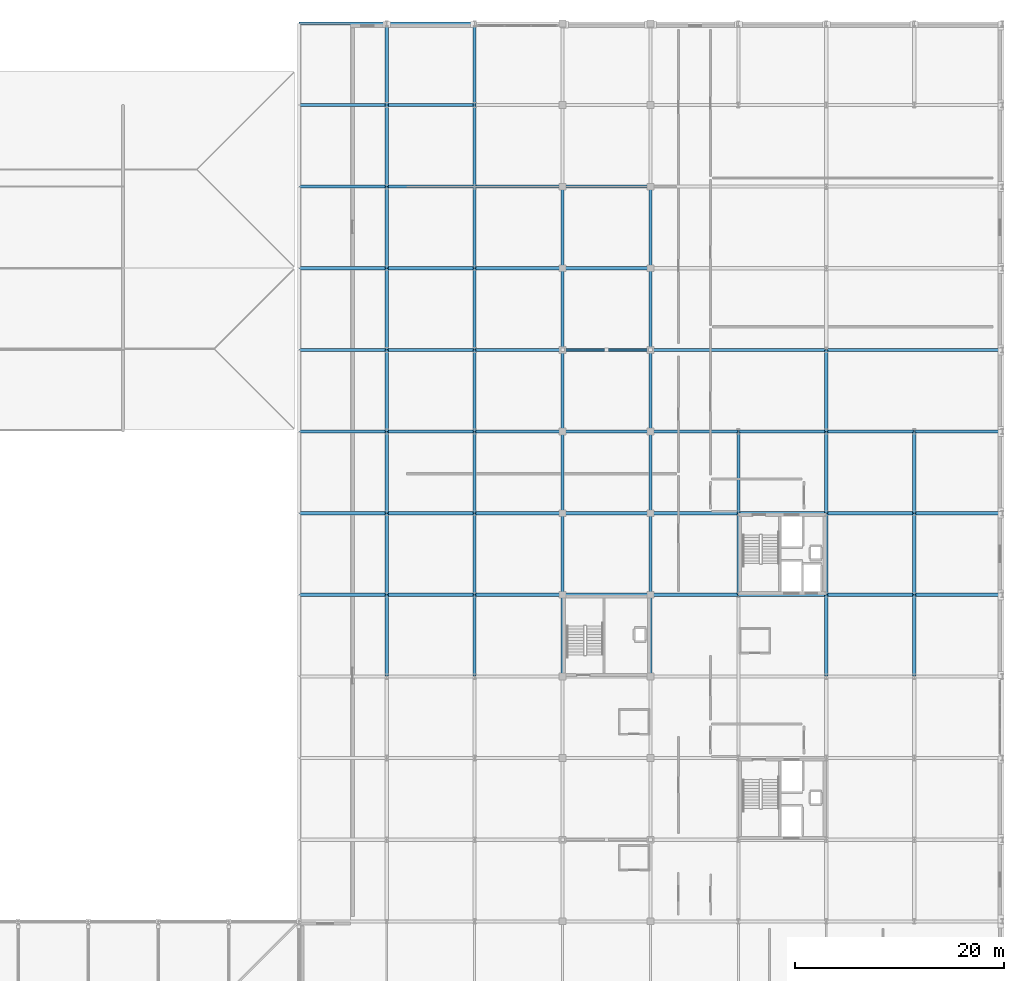
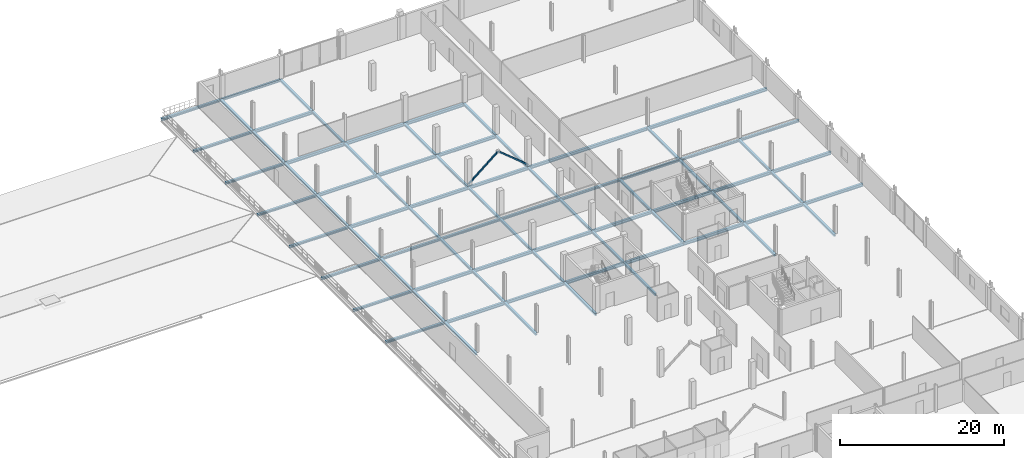
# One storey, part 43 of 77: 79 beams, 2 members.
"""IFC4 building model written with IfcOpenShell, lengths in metres."""

import ifcopenshell
import ifcopenshell.guid

model = None  # the IFC model being written
_history = None  # IfcOwnerHistory: only IFC2X3 demands one
_inside = {}  # id of a spatial element -> (the spatial element, [elements in it])
_under = {}  # id of a project, library or spatial element -> (it, [spatial elements below it])
_declared = {}  # id of a project -> (the project, [libraries it declares])
_typed = {}  # id of a type object -> (the type object, [elements of that type])
_made_of = {}  # id of a material, layer set ... -> (it, [elements and type objects made of it])


def new_model(schema):
    """Start an empty IFC model of exactly this schema.

    Asked for "IFC4X3", IfcOpenShell would pick the latest addendum, in which some entities
    have other attributes; the version numbers below select the first issue.
    IFC2X3 requires an IfcOwnerHistory on every rooted entity: one is made here for all.
    """
    global model, _history
    if schema == "IFC4X3":
        model = ifcopenshell.file(schema_version=(4, 3, 0, 0))
    else:
        model = ifcopenshell.file(schema=schema)
    _inside.clear()
    _under.clear()
    _declared.clear()
    _typed.clear()
    _made_of.clear()
    _history = None
    if model.schema == "IFC2X3":
        org = make("IfcOrganization", Name="unknown")
        user = make(
            "IfcPersonAndOrganization",
            ThePerson=make("IfcPerson", FamilyName="unknown"),
            TheOrganization=org,
        )
        app = make(
            "IfcApplication",
            ApplicationDeveloper=org,
            Version="unknown",
            ApplicationFullName="unknown",
            ApplicationIdentifier="unknown",
        )
        _history = make(
            "IfcOwnerHistory",
            OwningUser=user,
            OwningApplication=app,
            ChangeAction="ADDED",
            CreationDate=0,
        )
    return model


def make(cls, **values):
    """One entity of the class cls with the attributes given. An attribute that is None is left unset."""
    return model.create_entity(
        cls, **{name: value for name, value in values.items() if value is not None}
    )


def rooted(cls, **values):
    """An entity with a GlobalId (a new one), such as an element, a storey or a relation."""
    return make(cls, GlobalId=ifcopenshell.guid.new(), OwnerHistory=_history, **values)


def si_unit(unit_type, name, prefix=None):
    """IfcSIUnit, for example si_unit("LENGTHUNIT", "METRE", prefix="MILLI")."""
    return make("IfcSIUnit", UnitType=unit_type, Prefix=prefix, Name=name)


def assignment(units):
    """IfcUnitAssignment: the units of a project."""
    return None if units is None else make("IfcUnitAssignment", Units=units)


def point(xyz):
    """IfcCartesianPoint."""
    return None if xyz is None else make("IfcCartesianPoint", Coordinates=xyz)


def direction(xyz):
    """IfcDirection."""
    return None if xyz is None else make("IfcDirection", DirectionRatios=xyz)


def frame(location, z_axis=None, x_axis=None):
    """IfcAxis2Placement3D, a coordinate frame: its origin and axes. An axis left out is left unset."""
    return make(
        "IfcAxis2Placement3D",
        Location=point(location),
        Axis=direction(z_axis),
        RefDirection=direction(x_axis),
    )


def frame_2d(location, x_axis=None):
    """IfcAxis2Placement2D, a coordinate frame in the plane: its origin and x axis."""
    return make(
        "IfcAxis2Placement2D", Location=point(location), RefDirection=direction(x_axis)
    )


def origin():
    """The frame at (0, 0, 0) with its axes left unset."""
    return frame((0.0, 0.0, 0.0))


def origin_2d():
    """The frame at (0, 0) in the plane with its x axis left unset."""
    return frame_2d((0.0, 0.0))


def place(relative_to, where):
    """IfcLocalPlacement: puts the frame where relative to a parent placement (None: the world)."""
    return make(
        "IfcLocalPlacement", PlacementRelTo=relative_to, RelativePlacement=where
    )


def context(
    kind, dimensions, precision=None, world=None, true_north=None, identifier=None
):
    """IfcGeometricRepresentationContext, for example the 3D "Model" context."""
    return make(
        "IfcGeometricRepresentationContext",
        ContextIdentifier=identifier,
        ContextType=kind,
        CoordinateSpaceDimension=dimensions,
        Precision=precision,
        WorldCoordinateSystem=world,
        TrueNorth=true_north,
    )


def subcontext(parent, identifier, kind, view, scale=None):
    """IfcGeometricRepresentationSubContext, for example "Body" below "Model"."""
    return make(
        "IfcGeometricRepresentationSubContext",
        ContextIdentifier=identifier,
        ContextType=kind,
        ParentContext=parent,
        TargetScale=scale,
        TargetView=view,
    )


def project(units=None, contexts=None):
    """IfcProject with its units and contexts."""
    return rooted(
        "IfcProject",
        Name="project",
        RepresentationContexts=contexts,
        UnitsInContext=assignment(units),
    )


def spatial(cls, under=None, at=None, **own):
    """A site, building, storey or space (cls), placed at a placement, below another one or the project."""
    s = rooted(cls, ObjectPlacement=at, **own)
    if under is not None:
        _under.setdefault(under.id(), (under, []))[1].append(s)
    return s


def profile(cls, at=None, kind="AREA", **sizes):
    """A parametric profile (cls). Its sizes go by their IFC names, for example OverallWidth=200.0."""
    return make(cls, ProfileType=kind, Position=at, **sizes)


def hollow_rectangle(**sizes):
    """IfcRectangleHollowProfileDef."""
    return profile("IfcRectangleHollowProfileDef", **sizes)


def i_section(**sizes):
    """IfcIShapeProfileDef."""
    return profile("IfcIShapeProfileDef", **sizes)


def extrude(swept, where, along, depth):
    """IfcExtrudedAreaSolid: the profile swept, set in the frame where, extruded along a direction by depth."""
    return make(
        "IfcExtrudedAreaSolid",
        SweptArea=swept,
        Position=where,
        ExtrudedDirection=direction(along),
        Depth=depth,
    )


def shape(context_of_items, identifier, shape_type, items):
    """IfcShapeRepresentation: the items that make up one representation, for example the "Body"."""
    return make(
        "IfcShapeRepresentation",
        ContextOfItems=context_of_items,
        RepresentationIdentifier=identifier,
        RepresentationType=shape_type,
        Items=items,
    )


def material(Name=None, Category=None):
    """IfcMaterial."""
    return make("IfcMaterial", Name=Name, Category=Category)


def material_profile(
    of_material, cross_section, Name=None, Category=None, Priority=None
):
    """IfcMaterialProfile: a cross section and its material."""
    return make(
        "IfcMaterialProfile",
        Name=Name,
        Material=of_material,
        Profile=cross_section,
        Priority=Priority,
        Category=Category,
    )


def profile_set(profiles, Name=None, composite=None):
    """IfcMaterialProfileSet."""
    return make(
        "IfcMaterialProfileSet",
        Name=Name,
        MaterialProfiles=profiles,
        CompositeProfile=composite,
    )


def made_of(thing, what):
    """Note that an element or type object is made of a material, layer set ...; save() writes the relation."""
    if what is not None:
        _made_of.setdefault(what.id(), (what, []))[1].append(thing)
    return thing


def type_object(cls, material=None, **own):
    """A type object (cls), such as IfcWallType, which elements share."""
    return made_of(rooted(cls, **own), material)


def element(
    cls,
    number,
    at=None,
    inside=None,
    cuts=None,
    type_object=None,
    material=None,
    context=None,
    identifier="Body",
    shape_type=None,
    held_by="IfcProductDefinitionShape",
    body=None,
    shapes=None,
    **own,
):
    """One element of the class cls, such as IfcWall. Its Tag is "e" and its number.

    at: its placement. inside: the storey or other place that contains it. cuts: it is an
    opening in that element (IfcRelVoidsElement). A single representation is given by context,
    identifier, shape_type and body (its items); several are given by shapes. held_by: the class
    of the entity that holds the representations. save() writes the other relations.
    """
    e = rooted(cls, Tag="e%d" % number, ObjectPlacement=at, **own)
    if body is not None:
        shapes = [shape(context, identifier, shape_type, body)]
    if shapes is not None:
        e.Representation = make(held_by, Representations=shapes)
    if inside is not None:
        _inside.setdefault(inside.id(), (inside, []))[1].append(e)
    if cuts is not None:
        rooted(
            "IfcRelVoidsElement", RelatingBuildingElement=cuts, RelatedOpeningElement=e
        )
    if type_object is not None:
        _typed.setdefault(type_object.id(), (type_object, []))[1].append(e)
    return made_of(e, material)


def aggregate(whole, parts):
    """IfcRelAggregates: a whole, such as a stair, and the parts it consists of."""
    return rooted("IfcRelAggregates", RelatingObject=whole, RelatedObjects=parts)


def save(model, path):
    """Write the relations noted so far, then the file.

    IfcRelAggregates (storeys below a building ...), IfcRelContainedInSpatialStructure (elements
    in a storey), IfcRelDefinesByType, IfcRelAssociatesMaterial and IfcRelDeclares: one each for
    every whole, place, type object, material and project.
    """
    for whole, parts in _under.values():
        aggregate(whole, parts)
    for where, things in _inside.values():
        rooted(
            "IfcRelContainedInSpatialStructure",
            RelatedElements=things,
            RelatingStructure=where,
        )
    for kind, things in _typed.values():
        rooted("IfcRelDefinesByType", RelatedObjects=things, RelatingType=kind)
    for what, things in _made_of.values():
        rooted("IfcRelAssociatesMaterial", RelatedObjects=things, RelatingMaterial=what)
    for by, libraries in _declared.values():
        rooted("IfcRelDeclares", RelatingContext=by, RelatedDefinitions=libraries)
    model.write(path)


model = new_model("IFC4")

# Units and contexts
model_context = context("Model", 3, precision=1e-05, world=origin(), true_north=direction((0.0, 1.0)))
body_context = subcontext(model_context, "Body", "Model", "MODEL_VIEW")
ifc_project = project(units=[si_unit("LENGTHUNIT", "METRE"), si_unit("AREAUNIT", "SQUARE_METRE"), si_unit("VOLUMEUNIT", "CUBIC_METRE"), si_unit("PLANEANGLEUNIT", "RADIAN"), si_unit("MASSUNIT", "GRAM", prefix="KILO")], contexts=[model_context])

# Site, building, storey
site_placement = place(None, origin())
site = spatial("IfcSite", under=ifc_project, at=site_placement, CompositionType="ELEMENT")
building_placement = place(site_placement, origin())
building = spatial("IfcBuilding", under=site, at=building_placement, Name="Nabrawat Pavilion Hospital", CompositionType="ELEMENT")
storey_placement = place(building_placement, frame((0.0, 0.0, 14.85009765625)))
storey = spatial("IfcBuildingStorey", under=building, at=storey_placement, Name="L03", CompositionType="ELEMENT", Elevation=14.85009765625)

# Beams
ifc_material = material(Name="Steel S355", Category="steel")
ifc_material_profile_1 = material_profile(ifc_material, i_section(OverallWidth=0.300048828125, OverallDepth=0.43994140625, WebThickness=0.011474609375, FlangeThickness=0.02099609375, FilletRadius=0.027099609375, at=origin_2d()), Name="HEA 450")
ifc_profile_set_1 = profile_set([ifc_material_profile_1], Name="Steel S355")
beam_type_1 = type_object("IfcBeamType", Name="Mid-Tier Ward Girder HEA 450", PredefinedType="USERDEFINED", material=ifc_profile_set_1)
beam_1_placement = place(storey_placement, frame((134.419921875, 70.199951171875, -0.460205078125), z_axis=(1.0, 0.0, 0.0), x_axis=(0.0, 1.0, 0.0)))
element("IfcBeam", 1, at=beam_1_placement, inside=storey, type_object=beam_type_1, Name="L03 Primary X Girder 1514", ObjectType="GIRDER", PredefinedType="USERDEFINED", context=body_context, shape_type="SweptSolid", body=[
    extrude(i_section(OverallWidth=0.300048828125, OverallDepth=0.43994140625, WebThickness=0.011474609375, FlangeThickness=0.02099609375, FilletRadius=0.027099609375, at=origin_2d()), origin(), (0.0, 0.0, 1.0), 8.360107421875),
])
beam_2_placement = place(storey_placement, frame((142.820068359375, 70.199951171875, -0.460205078125), z_axis=(1.0, 0.0, 0.0), x_axis=(0.0, 1.0, 0.0)))
element("IfcBeam", 2, at=beam_2_placement, inside=storey, type_object=beam_type_1, Name="L03 Primary X Girder 1515", ObjectType="GIRDER", PredefinedType="USERDEFINED", context=body_context, shape_type="SweptSolid", body=[
    extrude(i_section(OverallWidth=0.300048828125, OverallDepth=0.43994140625, WebThickness=0.011474609375, FlangeThickness=0.02099609375, FilletRadius=0.027099609375, at=origin_2d()), origin(), (0.0, 0.0, 1.0), 8.35986328125),
])
beam_3_placement = place(storey_placement, frame((151.219970703125, 70.199951171875, -0.460205078125), z_axis=(1.0, 0.0, 0.0), x_axis=(0.0, 1.0, 0.0)))
element("IfcBeam", 3, at=beam_3_placement, inside=storey, type_object=beam_type_1, Name="L03 Primary X Girder 1516", ObjectType="GIRDER", PredefinedType="USERDEFINED", context=body_context, shape_type="SweptSolid", body=[
    extrude(i_section(OverallWidth=0.300048828125, OverallDepth=0.43994140625, WebThickness=0.011474609375, FlangeThickness=0.02099609375, FilletRadius=0.027099609375, at=origin_2d()), origin(), (0.0, 0.0, 1.0), 8.360107421875),
])
for number, where, z_axis, x_axis, name in (
    (4, (159.6201171875, 70.199951171875, -0.460205078125), (1.0, 0.0, 0.0), (0.0, 1.0, 0.0), "L03 Primary X Girder 1517"),
    (5, (168.02001953125, 70.199951171875, -0.460205078125), (1.0, 0.0, 0.0), (0.0, 1.0, 0.0), "L03 Primary X Girder 1518"),
):
    element("IfcBeam", number, at=place(storey_placement, frame(where, z_axis=z_axis, x_axis=x_axis)), inside=storey, type_object=beam_type_1, Name=name, ObjectType="GIRDER", PredefinedType="USERDEFINED", context=body_context, shape_type="SweptSolid", body=[
        extrude(i_section(OverallWidth=0.300048828125, OverallDepth=0.43994140625, WebThickness=0.011474609375, FlangeThickness=0.02099609375, FilletRadius=0.027099609375, at=origin_2d()), origin(), (0.0, 0.0, 1.0), 8.35986328125),
    ])
beam_4_placement = place(storey_placement, frame((176.419921875, 70.199951171875, -0.460205078125), z_axis=(1.0, 0.0, 0.0), x_axis=(0.0, 1.0, 0.0)))
element("IfcBeam", 6, at=beam_4_placement, inside=storey, type_object=beam_type_1, Name="L03 Primary X Girder 1519", ObjectType="GIRDER", PredefinedType="USERDEFINED", context=body_context, shape_type="SweptSolid", body=[
    extrude(i_section(OverallWidth=0.300048828125, OverallDepth=0.43994140625, WebThickness=0.011474609375, FlangeThickness=0.02099609375, FilletRadius=0.027099609375, at=origin_2d()), origin(), (0.0, 0.0, 1.0), 8.360107421875),
])
beam_5_placement = place(storey_placement, frame((184.820068359375, 70.199951171875, -0.460205078125), z_axis=(1.0, 0.0, 0.0), x_axis=(0.0, 1.0, 0.0)))
element("IfcBeam", 7, at=beam_5_placement, inside=storey, type_object=beam_type_1, Name="L03 Primary X Girder 1520", ObjectType="GIRDER", PredefinedType="USERDEFINED", context=body_context, shape_type="SweptSolid", body=[
    extrude(i_section(OverallWidth=0.300048828125, OverallDepth=0.43994140625, WebThickness=0.011474609375, FlangeThickness=0.02099609375, FilletRadius=0.027099609375, at=origin_2d()), origin(), (0.0, 0.0, 1.0), 8.35986328125),
])
beam_6_placement = place(storey_placement, frame((134.419921875, 78.0, -0.460205078125), z_axis=(1.0, 0.0, 0.0), x_axis=(0.0, 1.0, 0.0)))
element("IfcBeam", 8, at=beam_6_placement, inside=storey, type_object=beam_type_1, Name="L03 Primary X Girder 1523", ObjectType="GIRDER", PredefinedType="USERDEFINED", context=body_context, shape_type="SweptSolid", body=[
    extrude(i_section(OverallWidth=0.300048828125, OverallDepth=0.43994140625, WebThickness=0.011474609375, FlangeThickness=0.02099609375, FilletRadius=0.027099609375, at=origin_2d()), origin(), (0.0, 0.0, 1.0), 8.360107421875),
])
beam_7_placement = place(storey_placement, frame((142.820068359375, 78.0, -0.460205078125), z_axis=(1.0, 0.0, 0.0), x_axis=(0.0, 1.0, 0.0)))
element("IfcBeam", 9, at=beam_7_placement, inside=storey, type_object=beam_type_1, Name="L03 Primary X Girder 1524", ObjectType="GIRDER", PredefinedType="USERDEFINED", context=body_context, shape_type="SweptSolid", body=[
    extrude(i_section(OverallWidth=0.300048828125, OverallDepth=0.43994140625, WebThickness=0.011474609375, FlangeThickness=0.02099609375, FilletRadius=0.027099609375, at=origin_2d()), origin(), (0.0, 0.0, 1.0), 8.35986328125),
])
beam_8_placement = place(storey_placement, frame((151.219970703125, 78.0, -0.460205078125), z_axis=(1.0, 0.0, 0.0), x_axis=(0.0, 1.0, 0.0)))
element("IfcBeam", 10, at=beam_8_placement, inside=storey, type_object=beam_type_1, Name="L03 Primary X Girder 1525", ObjectType="GIRDER", PredefinedType="USERDEFINED", context=body_context, shape_type="SweptSolid", body=[
    extrude(i_section(OverallWidth=0.300048828125, OverallDepth=0.43994140625, WebThickness=0.011474609375, FlangeThickness=0.02099609375, FilletRadius=0.027099609375, at=origin_2d()), origin(), (0.0, 0.0, 1.0), 8.360107421875),
])
for number, where, z_axis, x_axis, name in (
    (11, (159.6201171875, 78.0, -0.460205078125), (1.0, 0.0, 0.0), (0.0, 1.0, 0.0), "L03 Primary X Girder 1526"),
    (12, (168.02001953125, 78.0, -0.460205078125), (1.0, 0.0, 0.0), (0.0, 1.0, 0.0), "L03 Primary X Girder 1527"),
):
    element("IfcBeam", number, at=place(storey_placement, frame(where, z_axis=z_axis, x_axis=x_axis)), inside=storey, type_object=beam_type_1, Name=name, ObjectType="GIRDER", PredefinedType="USERDEFINED", context=body_context, shape_type="SweptSolid", body=[
        extrude(i_section(OverallWidth=0.300048828125, OverallDepth=0.43994140625, WebThickness=0.011474609375, FlangeThickness=0.02099609375, FilletRadius=0.027099609375, at=origin_2d()), origin(), (0.0, 0.0, 1.0), 8.35986328125),
    ])
beam_9_placement = place(storey_placement, frame((176.419921875, 78.0, -0.460205078125), z_axis=(1.0, 0.0, 0.0), x_axis=(0.0, 1.0, 0.0)))
element("IfcBeam", 13, at=beam_9_placement, inside=storey, type_object=beam_type_1, Name="L03 Primary X Girder 1528", ObjectType="GIRDER", PredefinedType="USERDEFINED", context=body_context, shape_type="SweptSolid", body=[
    extrude(i_section(OverallWidth=0.300048828125, OverallDepth=0.43994140625, WebThickness=0.011474609375, FlangeThickness=0.02099609375, FilletRadius=0.027099609375, at=origin_2d()), origin(), (0.0, 0.0, 1.0), 8.360107421875),
])
beam_10_placement = place(storey_placement, frame((184.820068359375, 78.0, -0.460205078125), z_axis=(1.0, 0.0, 0.0), x_axis=(0.0, 1.0, 0.0)))
element("IfcBeam", 14, at=beam_10_placement, inside=storey, type_object=beam_type_1, Name="L03 Primary X Girder 1529", ObjectType="GIRDER", PredefinedType="USERDEFINED", context=body_context, shape_type="SweptSolid", body=[
    extrude(i_section(OverallWidth=0.300048828125, OverallDepth=0.43994140625, WebThickness=0.011474609375, FlangeThickness=0.02099609375, FilletRadius=0.027099609375, at=origin_2d()), origin(), (0.0, 0.0, 1.0), 8.35986328125),
])
beam_11_placement = place(storey_placement, frame((134.419921875, 93.60009765625, -0.460205078125), z_axis=(1.0, 0.0, 0.0), x_axis=(0.0, 1.0, 0.0)))
element("IfcBeam", 15, at=beam_11_placement, inside=storey, type_object=beam_type_1, Name="L03 Primary X Girder 1546", ObjectType="GIRDER", PredefinedType="USERDEFINED", context=body_context, shape_type="SweptSolid", body=[
    extrude(i_section(OverallWidth=0.300048828125, OverallDepth=0.43994140625, WebThickness=0.011474609375, FlangeThickness=0.02099609375, FilletRadius=0.027099609375, at=origin_2d()), origin(), (0.0, 0.0, 1.0), 8.360107421875),
])
beam_12_placement = place(storey_placement, frame((142.820068359375, 93.60009765625, -0.460205078125), z_axis=(1.0, 0.0, 0.0), x_axis=(0.0, 1.0, 0.0)))
element("IfcBeam", 16, at=beam_12_placement, inside=storey, type_object=beam_type_1, Name="L03 Primary X Girder 1547", ObjectType="GIRDER", PredefinedType="USERDEFINED", context=body_context, shape_type="SweptSolid", body=[
    extrude(i_section(OverallWidth=0.300048828125, OverallDepth=0.43994140625, WebThickness=0.011474609375, FlangeThickness=0.02099609375, FilletRadius=0.027099609375, at=origin_2d()), origin(), (0.0, 0.0, 1.0), 8.35986328125),
])
beam_13_placement = place(storey_placement, frame((151.219970703125, 93.60009765625, -0.460205078125), z_axis=(1.0, 0.0, 0.0), x_axis=(0.0, 1.0, 0.0)))
element("IfcBeam", 17, at=beam_13_placement, inside=storey, type_object=beam_type_1, Name="L03 Primary X Girder 1548", ObjectType="GIRDER", PredefinedType="USERDEFINED", context=body_context, shape_type="SweptSolid", body=[
    extrude(i_section(OverallWidth=0.300048828125, OverallDepth=0.43994140625, WebThickness=0.011474609375, FlangeThickness=0.02099609375, FilletRadius=0.027099609375, at=origin_2d()), origin(), (0.0, 0.0, 1.0), 8.360107421875),
])
beam_14_placement = place(storey_placement, frame((159.6201171875, 93.60009765625, -0.460205078125), z_axis=(1.0, 0.0, 0.0), x_axis=(0.0, 1.0, 0.0)))
element("IfcBeam", 18, at=beam_14_placement, inside=storey, type_object=beam_type_1, Name="L03 Primary X Girder 1549", ObjectType="GIRDER", PredefinedType="USERDEFINED", context=body_context, shape_type="SweptSolid", body=[
    extrude(i_section(OverallWidth=0.300048828125, OverallDepth=0.43994140625, WebThickness=0.011474609375, FlangeThickness=0.02099609375, FilletRadius=0.027099609375, at=origin_2d()), origin(), (0.0, 0.0, 1.0), 16.759765625),
])
beam_15_placement = place(storey_placement, frame((176.419921875, 93.60009765625, -0.460205078125), z_axis=(1.0, 0.0, 0.0), x_axis=(0.0, 1.0, 0.0)))
element("IfcBeam", 19, at=beam_15_placement, inside=storey, type_object=beam_type_1, Name="L03 Primary X Girder 1550", ObjectType="GIRDER", PredefinedType="USERDEFINED", context=body_context, shape_type="SweptSolid", body=[
    extrude(i_section(OverallWidth=0.300048828125, OverallDepth=0.43994140625, WebThickness=0.011474609375, FlangeThickness=0.02099609375, FilletRadius=0.027099609375, at=origin_2d()), origin(), (0.0, 0.0, 1.0), 16.760009765625),
])
beam_16_placement = place(storey_placement, frame((134.419921875, 101.39990234375, -0.460205078125), z_axis=(1.0, 0.0, 0.0), x_axis=(0.0, 1.0, 0.0)))
element("IfcBeam", 20, at=beam_16_placement, inside=storey, type_object=beam_type_1, Name="L03 Primary X Girder 1554", ObjectType="GIRDER", PredefinedType="USERDEFINED", context=body_context, shape_type="SweptSolid", body=[
    extrude(i_section(OverallWidth=0.300048828125, OverallDepth=0.43994140625, WebThickness=0.011474609375, FlangeThickness=0.02099609375, FilletRadius=0.027099609375, at=origin_2d()), origin(), (0.0, 0.0, 1.0), 8.360107421875),
])
beam_17_placement = place(storey_placement, frame((142.820068359375, 101.39990234375, -0.460205078125), z_axis=(1.0, 0.0, 0.0), x_axis=(0.0, 1.0, 0.0)))
element("IfcBeam", 21, at=beam_17_placement, inside=storey, type_object=beam_type_1, Name="L03 Primary X Girder 1555", ObjectType="GIRDER", PredefinedType="USERDEFINED", context=body_context, shape_type="SweptSolid", body=[
    extrude(i_section(OverallWidth=0.300048828125, OverallDepth=0.43994140625, WebThickness=0.011474609375, FlangeThickness=0.02099609375, FilletRadius=0.027099609375, at=origin_2d()), origin(), (0.0, 0.0, 1.0), 8.35986328125),
])
for number, where, z_axis, x_axis, name in (
    (22, (151.219970703125, 101.39990234375, -0.460205078125), (1.0, 0.0, 0.0), (0.0, 1.0, 0.0), "L03 Primary X Girder 1556"),
    (23, (134.419921875, 109.199951171875, -0.460205078125), (1.0, 0.0, 0.0), (0.0, 1.0, 0.0), "L03 Primary X Girder 1561"),
):
    element("IfcBeam", number, at=place(storey_placement, frame(where, z_axis=z_axis, x_axis=x_axis)), inside=storey, type_object=beam_type_1, Name=name, ObjectType="GIRDER", PredefinedType="USERDEFINED", context=body_context, shape_type="SweptSolid", body=[
        extrude(i_section(OverallWidth=0.300048828125, OverallDepth=0.43994140625, WebThickness=0.011474609375, FlangeThickness=0.02099609375, FilletRadius=0.027099609375, at=origin_2d()), origin(), (0.0, 0.0, 1.0), 8.360107421875),
    ])
beam_18_placement = place(storey_placement, frame((142.820068359375, 109.199951171875, -0.460205078125), z_axis=(1.0, 0.0, 0.0), x_axis=(0.0, 1.0, 0.0)))
element("IfcBeam", 24, at=beam_18_placement, inside=storey, type_object=beam_type_1, Name="L03 Primary X Girder 1562", ObjectType="GIRDER", PredefinedType="USERDEFINED", context=body_context, shape_type="SweptSolid", body=[
    extrude(i_section(OverallWidth=0.300048828125, OverallDepth=0.43994140625, WebThickness=0.011474609375, FlangeThickness=0.02099609375, FilletRadius=0.027099609375, at=origin_2d()), origin(), (0.0, 0.0, 1.0), 8.35986328125),
])
for number, where, z_axis, x_axis, name in (
    (25, (151.219970703125, 109.199951171875, -0.460205078125), (1.0, 0.0, 0.0), (0.0, 1.0, 0.0), "L03 Primary X Girder 1563"),
    (26, (134.419921875, 117.0, -0.460205078125), (1.0, 0.0, 0.0), (0.0, 1.0, 0.0), "L03 Primary X Girder 1572"),
):
    element("IfcBeam", number, at=place(storey_placement, frame(where, z_axis=z_axis, x_axis=x_axis)), inside=storey, type_object=beam_type_1, Name=name, ObjectType="GIRDER", PredefinedType="USERDEFINED", context=body_context, shape_type="SweptSolid", body=[
        extrude(i_section(OverallWidth=0.300048828125, OverallDepth=0.43994140625, WebThickness=0.011474609375, FlangeThickness=0.02099609375, FilletRadius=0.027099609375, at=origin_2d()), origin(), (0.0, 0.0, 1.0), 8.360107421875),
    ])

# Members
ifc_material_profile_2 = material_profile(ifc_material, hollow_rectangle(XDim=0.179931640625, YDim=0.179931640625, WallThickness=0.010009765625, at=origin_2d()), Name="SHS 180x180x10")
ifc_profile_set_2 = profile_set([ifc_material_profile_2], Name="Steel S355")
member_type = type_object("IfcMemberType", Name="Upper Seismic Chevron Brace SHS 180x180x10", PredefinedType="BRACE", material=ifc_profile_set_2)
member_1_placement = place(storey_placement, frame((151.199951171875, 93.60009765625, 0.0498046875), z_axis=(0.772705010087, 0.0, 0.634765285273), x_axis=(0.0, 1.0, 0.0)))
element("IfcMember", 27, at=member_1_placement, inside=storey, type_object=member_type, Name="L03 Seismic Concentric Chevron Brace 073", PredefinedType="BRACE", context=body_context, shape_type="SweptSolid", body=[
    extrude(hollow_rectangle(XDim=0.179931640625, YDim=0.179931640625, WallThickness=0.010009765625, at=origin_2d()), origin(), (0.0, 0.0, 1.0), 5.435302734375),
])
member_2_placement = place(storey_placement, frame((159.60009765625, 93.60009765625, 0.0498046875), z_axis=(-0.772723107365, 0.0, 0.634743254666), x_axis=(0.0, -1.0, 0.0)))
element("IfcMember", 28, at=member_2_placement, inside=storey, type_object=member_type, Name="L03 Seismic Concentric Chevron Brace 074", PredefinedType="BRACE", context=body_context, shape_type="SweptSolid", body=[
    extrude(hollow_rectangle(XDim=0.179931640625, YDim=0.179931640625, WallThickness=0.010009765625, at=origin_2d()), origin(), (0.0, 0.0, 1.0), 5.435546875),
])

# Beams
ifc_material_profile_3 = material_profile(ifc_material, i_section(OverallWidth=0.300048828125, OverallDepth=0.340087890625, WebThickness=0.011962890625, FlangeThickness=0.021484375, FilletRadius=0.027099609375, at=origin_2d()), Name="HEB 340")
ifc_profile_set_3 = profile_set([ifc_material_profile_3], Name="Steel S355")
beam_type_2 = type_object("IfcBeamType", Name="Ward Perimeter Spandrel Beam HEB 340", PredefinedType="SPANDREL", material=ifc_profile_set_3)
for number, where, z_axis, x_axis, name in (
    (29, (126.02001953125, 70.199951171875, -0.420166015625), (1.0, 0.0, 0.0), (0.0, 1.0, 0.0), "L03 Primary X Girder 1513"),
    (30, (126.02001953125, 78.0, -0.420166015625), (1.0, 0.0, 0.0), (0.0, 1.0, 0.0), "L03 Primary X Girder 1522"),
    (31, (126.02001953125, 85.800048828125, -0.420166015625), (1.0, 0.0, 0.0), (0.0, 1.0, 0.0), "L03 Primary X Girder 1535"),
):
    element("IfcBeam", number, at=place(storey_placement, frame(where, z_axis=z_axis, x_axis=x_axis)), inside=storey, type_object=beam_type_2, Name=name, PredefinedType="SPANDREL", context=body_context, shape_type="SweptSolid", body=[
        extrude(i_section(OverallWidth=0.300048828125, OverallDepth=0.340087890625, WebThickness=0.011962890625, FlangeThickness=0.021484375, FilletRadius=0.027099609375, at=origin_2d()), origin(), (0.0, 0.0, 1.0), 8.35986328125),
    ])
beam_19_placement = place(storey_placement, frame((134.419921875, 85.800048828125, -0.41015625), z_axis=(1.0, 0.0, 0.0), x_axis=(0.0, 1.0, 0.0)))
element("IfcBeam", 32, at=beam_19_placement, inside=storey, type_object=beam_type_2, Name="L03 Primary X Girder 1536", PredefinedType="SPANDREL", context=body_context, shape_type="SweptSolid", body=[
    extrude(i_section(OverallWidth=0.300048828125, OverallDepth=0.340087890625, WebThickness=0.011962890625, FlangeThickness=0.021484375, FilletRadius=0.027099609375, at=origin_2d()), origin(), (0.0, 0.0, 1.0), 8.360107421875),
])
beam_20_placement = place(storey_placement, frame((142.820068359375, 85.800048828125, -0.41015625), z_axis=(1.0, 0.0, 0.0), x_axis=(0.0, 1.0, 0.0)))
element("IfcBeam", 33, at=beam_20_placement, inside=storey, type_object=beam_type_2, Name="L03 Primary X Girder 1537", PredefinedType="SPANDREL", context=body_context, shape_type="SweptSolid", body=[
    extrude(i_section(OverallWidth=0.300048828125, OverallDepth=0.340087890625, WebThickness=0.011962890625, FlangeThickness=0.021484375, FilletRadius=0.027099609375, at=origin_2d()), origin(), (0.0, 0.0, 1.0), 8.35986328125),
])
beam_21_placement = place(storey_placement, frame((151.219970703125, 85.800048828125, -0.41015625), z_axis=(1.0, 0.0, 0.0), x_axis=(0.0, 1.0, 0.0)))
element("IfcBeam", 34, at=beam_21_placement, inside=storey, type_object=beam_type_2, Name="L03 Primary X Girder 1538", PredefinedType="SPANDREL", context=body_context, shape_type="SweptSolid", body=[
    extrude(i_section(OverallWidth=0.300048828125, OverallDepth=0.340087890625, WebThickness=0.011962890625, FlangeThickness=0.021484375, FilletRadius=0.027099609375, at=origin_2d()), origin(), (0.0, 0.0, 1.0), 8.360107421875),
])
for number, where, z_axis, x_axis, name in (
    (35, (159.6201171875, 85.800048828125, -0.41015625), (1.0, 0.0, 0.0), (0.0, 1.0, 0.0), "L03 Primary X Girder 1539"),
    (36, (168.02001953125, 85.800048828125, -0.41015625), (1.0, 0.0, 0.0), (0.0, 1.0, 0.0), "L03 Primary X Girder 1540"),
):
    element("IfcBeam", number, at=place(storey_placement, frame(where, z_axis=z_axis, x_axis=x_axis)), inside=storey, type_object=beam_type_2, Name=name, PredefinedType="SPANDREL", context=body_context, shape_type="SweptSolid", body=[
        extrude(i_section(OverallWidth=0.300048828125, OverallDepth=0.340087890625, WebThickness=0.011962890625, FlangeThickness=0.021484375, FilletRadius=0.027099609375, at=origin_2d()), origin(), (0.0, 0.0, 1.0), 8.35986328125),
    ])
beam_22_placement = place(storey_placement, frame((176.419921875, 85.800048828125, -0.41015625), z_axis=(1.0, 0.0, 0.0), x_axis=(0.0, 1.0, 0.0)))
element("IfcBeam", 37, at=beam_22_placement, inside=storey, type_object=beam_type_2, Name="L03 Primary X Girder 1541", PredefinedType="SPANDREL", context=body_context, shape_type="SweptSolid", body=[
    extrude(i_section(OverallWidth=0.300048828125, OverallDepth=0.340087890625, WebThickness=0.011962890625, FlangeThickness=0.021484375, FilletRadius=0.027099609375, at=origin_2d()), origin(), (0.0, 0.0, 1.0), 8.360107421875),
])
for number, where, z_axis, x_axis, name in (
    (38, (184.820068359375, 85.800048828125, -0.41015625), (1.0, 0.0, 0.0), (0.0, 1.0, 0.0), "L03 Primary X Girder 1542"),
    (39, (126.02001953125, 93.60009765625, -0.420166015625), (1.0, 0.0, 0.0), (0.0, 1.0, 0.0), "L03 Primary X Girder 1545"),
    (40, (126.02001953125, 101.39990234375, -0.420166015625), (1.0, 0.0, 0.0), (0.0, 1.0, 0.0), "L03 Primary X Girder 1553"),
    (41, (126.02001953125, 109.199951171875, -0.420166015625), (1.0, 0.0, 0.0), (0.0, 1.0, 0.0), "L03 Primary X Girder 1560"),
    (42, (126.02001953125, 117.0, -0.420166015625), (1.0, 0.0, 0.0), (0.0, 1.0, 0.0), "L03 Primary X Girder 1571"),
    (43, (126.02001953125, 124.800048828125, -0.420166015625), (1.0, 0.0, 0.0), (0.0, 1.0, 0.0), "L03 Primary X Girder 1579"),
):
    element("IfcBeam", number, at=place(storey_placement, frame(where, z_axis=z_axis, x_axis=x_axis)), inside=storey, type_object=beam_type_2, Name=name, PredefinedType="SPANDREL", context=body_context, shape_type="SweptSolid", body=[
        extrude(i_section(OverallWidth=0.300048828125, OverallDepth=0.340087890625, WebThickness=0.011962890625, FlangeThickness=0.021484375, FilletRadius=0.027099609375, at=origin_2d()), origin(), (0.0, 0.0, 1.0), 8.35986328125),
    ])
beam_23_placement = place(storey_placement, frame((134.419921875, 124.800048828125, -0.41015625), z_axis=(1.0, 0.0, 0.0), x_axis=(0.0, 1.0, 0.0)))
element("IfcBeam", 44, at=beam_23_placement, inside=storey, type_object=beam_type_2, Name="L03 Primary X Girder 1580", PredefinedType="SPANDREL", context=body_context, shape_type="SweptSolid", body=[
    extrude(i_section(OverallWidth=0.300048828125, OverallDepth=0.340087890625, WebThickness=0.011962890625, FlangeThickness=0.021484375, FilletRadius=0.027099609375, at=origin_2d()), origin(), (0.0, 0.0, 1.0), 8.360107421875),
])
ifc_material_profile_4 = material_profile(ifc_material, i_section(OverallWidth=0.300048828125, OverallDepth=0.31005859375, WebThickness=0.009033203125, FlangeThickness=0.015380859375, FilletRadius=0.027099609375, at=origin_2d()), Name="HEA 320")
ifc_profile_set_4 = profile_set([ifc_material_profile_4], Name="Steel S355")
beam_type_3 = type_object("IfcBeamType", Name="Ward Spine Beam HEA 320", PredefinedType="BEAM", material=ifc_profile_set_4)
for number, where, z_axis, x_axis, name in (
    (45, (134.39990234375, 62.419921875, -0.39501953125), (0.0, 1.0, 0.0), (-1.0, 0.0, 0.0), "L03 Primary Y Beam 1648"),
    (46, (134.39990234375, 70.219970703125, -0.39501953125), (0.0, 1.0, 0.0), (-1.0, 0.0, 0.0), "L03 Primary Y Beam 1649"),
    (47, (134.39990234375, 78.02001953125, -0.39501953125), (0.0, 1.0, 0.0), (-1.0, 0.0, 0.0), "L03 Primary Y Beam 1650"),
    (48, (134.39990234375, 85.820068359375, -0.39501953125), (0.0, 1.0, 0.0), (-1.0, 0.0, 0.0), "L03 Primary Y Beam 1651"),
):
    element("IfcBeam", number, at=place(storey_placement, frame(where, z_axis=z_axis, x_axis=x_axis)), inside=storey, type_object=beam_type_3, Name=name, PredefinedType="BEAM", context=body_context, shape_type="SweptSolid", body=[
        extrude(i_section(OverallWidth=0.300048828125, OverallDepth=0.31005859375, WebThickness=0.009033203125, FlangeThickness=0.015380859375, FilletRadius=0.027099609375, at=origin_2d()), origin(), (0.0, 0.0, 1.0), 7.760009765625),
    ])
beam_24_placement = place(storey_placement, frame((134.39990234375, 93.6201171875, -0.39501953125), z_axis=(0.0, 1.0, 0.0), x_axis=(-1.0, 0.0, 0.0)))
element("IfcBeam", 49, at=beam_24_placement, inside=storey, type_object=beam_type_3, Name="L03 Primary Y Beam 1652", PredefinedType="BEAM", context=body_context, shape_type="SweptSolid", body=[
    extrude(i_section(OverallWidth=0.300048828125, OverallDepth=0.31005859375, WebThickness=0.009033203125, FlangeThickness=0.015380859375, FilletRadius=0.027099609375, at=origin_2d()), origin(), (0.0, 0.0, 1.0), 7.759765625),
])
for number, where, z_axis, x_axis, name in (
    (50, (134.39990234375, 101.419921875, -0.39501953125), (0.0, 1.0, 0.0), (-1.0, 0.0, 0.0), "L03 Primary Y Beam 1653"),
    (51, (134.39990234375, 109.219970703125, -0.39501953125), (0.0, 1.0, 0.0), (-1.0, 0.0, 0.0), "L03 Primary Y Beam 1654"),
    (52, (134.39990234375, 117.02001953125, -0.39501953125), (0.0, 1.0, 0.0), (-1.0, 0.0, 0.0), "L03 Primary Y Beam 1655"),
    (53, (142.800048828125, 62.419921875, -0.39501953125), (0.0, 1.0, 0.0), (-1.0, 0.0, 0.0), "L03 Primary Y Beam 1664"),
    (54, (142.800048828125, 70.219970703125, -0.39501953125), (0.0, 1.0, 0.0), (-1.0, 0.0, 0.0), "L03 Primary Y Beam 1665"),
    (55, (142.800048828125, 78.02001953125, -0.39501953125), (0.0, 1.0, 0.0), (-1.0, 0.0, 0.0), "L03 Primary Y Beam 1666"),
    (56, (142.800048828125, 85.820068359375, -0.39501953125), (0.0, 1.0, 0.0), (-1.0, 0.0, 0.0), "L03 Primary Y Beam 1667"),
):
    element("IfcBeam", number, at=place(storey_placement, frame(where, z_axis=z_axis, x_axis=x_axis)), inside=storey, type_object=beam_type_3, Name=name, PredefinedType="BEAM", context=body_context, shape_type="SweptSolid", body=[
        extrude(i_section(OverallWidth=0.300048828125, OverallDepth=0.31005859375, WebThickness=0.009033203125, FlangeThickness=0.015380859375, FilletRadius=0.027099609375, at=origin_2d()), origin(), (0.0, 0.0, 1.0), 7.760009765625),
    ])
beam_25_placement = place(storey_placement, frame((142.800048828125, 93.6201171875, -0.39501953125), z_axis=(0.0, 1.0, 0.0), x_axis=(-1.0, 0.0, 0.0)))
element("IfcBeam", 57, at=beam_25_placement, inside=storey, type_object=beam_type_3, Name="L03 Primary Y Beam 1668", PredefinedType="BEAM", context=body_context, shape_type="SweptSolid", body=[
    extrude(i_section(OverallWidth=0.300048828125, OverallDepth=0.31005859375, WebThickness=0.009033203125, FlangeThickness=0.015380859375, FilletRadius=0.027099609375, at=origin_2d()), origin(), (0.0, 0.0, 1.0), 7.759765625),
])
for number, where, z_axis, x_axis, name in (
    (58, (142.800048828125, 101.419921875, -0.39501953125), (0.0, 1.0, 0.0), (-1.0, 0.0, 0.0), "L03 Primary Y Beam 1669"),
    (59, (142.800048828125, 109.219970703125, -0.39501953125), (0.0, 1.0, 0.0), (-1.0, 0.0, 0.0), "L03 Primary Y Beam 1670"),
    (60, (142.800048828125, 117.02001953125, -0.39501953125), (0.0, 1.0, 0.0), (-1.0, 0.0, 0.0), "L03 Primary Y Beam 1671"),
    (61, (151.199951171875, 62.419921875, -0.39501953125), (0.0, 1.0, 0.0), (-1.0, 0.0, 0.0), "L03 Primary Y Beam 1680"),
    (62, (151.199951171875, 70.219970703125, -0.39501953125), (0.0, 1.0, 0.0), (-1.0, 0.0, 0.0), "L03 Primary Y Beam 1681"),
    (63, (151.199951171875, 78.02001953125, -0.39501953125), (0.0, 1.0, 0.0), (-1.0, 0.0, 0.0), "L03 Primary Y Beam 1682"),
    (64, (151.199951171875, 85.820068359375, -0.39501953125), (0.0, 1.0, 0.0), (-1.0, 0.0, 0.0), "L03 Primary Y Beam 1683"),
):
    element("IfcBeam", number, at=place(storey_placement, frame(where, z_axis=z_axis, x_axis=x_axis)), inside=storey, type_object=beam_type_3, Name=name, PredefinedType="BEAM", context=body_context, shape_type="SweptSolid", body=[
        extrude(i_section(OverallWidth=0.300048828125, OverallDepth=0.31005859375, WebThickness=0.009033203125, FlangeThickness=0.015380859375, FilletRadius=0.027099609375, at=origin_2d()), origin(), (0.0, 0.0, 1.0), 7.760009765625),
    ])
beam_26_placement = place(storey_placement, frame((151.199951171875, 93.6201171875, -0.39501953125), z_axis=(0.0, 1.0, 0.0), x_axis=(-1.0, 0.0, 0.0)))
element("IfcBeam", 65, at=beam_26_placement, inside=storey, type_object=beam_type_3, Name="L03 Primary Y Beam 1684", PredefinedType="BEAM", context=body_context, shape_type="SweptSolid", body=[
    extrude(i_section(OverallWidth=0.300048828125, OverallDepth=0.31005859375, WebThickness=0.009033203125, FlangeThickness=0.015380859375, FilletRadius=0.027099609375, at=origin_2d()), origin(), (0.0, 0.0, 1.0), 7.759765625),
])
for number, where, z_axis, x_axis, name in (
    (66, (151.199951171875, 101.419921875, -0.39501953125), (0.0, 1.0, 0.0), (-1.0, 0.0, 0.0), "L03 Primary Y Beam 1685"),
    (67, (159.60009765625, 62.419921875, -0.39501953125), (0.0, 1.0, 0.0), (-1.0, 0.0, 0.0), "L03 Primary Y Beam 1696"),
    (68, (159.60009765625, 70.219970703125, -0.39501953125), (0.0, 1.0, 0.0), (-1.0, 0.0, 0.0), "L03 Primary Y Beam 1697"),
    (69, (159.60009765625, 78.02001953125, -0.39501953125), (0.0, 1.0, 0.0), (-1.0, 0.0, 0.0), "L03 Primary Y Beam 1698"),
    (70, (159.60009765625, 85.820068359375, -0.39501953125), (0.0, 1.0, 0.0), (-1.0, 0.0, 0.0), "L03 Primary Y Beam 1699"),
):
    element("IfcBeam", number, at=place(storey_placement, frame(where, z_axis=z_axis, x_axis=x_axis)), inside=storey, type_object=beam_type_3, Name=name, PredefinedType="BEAM", context=body_context, shape_type="SweptSolid", body=[
        extrude(i_section(OverallWidth=0.300048828125, OverallDepth=0.31005859375, WebThickness=0.009033203125, FlangeThickness=0.015380859375, FilletRadius=0.027099609375, at=origin_2d()), origin(), (0.0, 0.0, 1.0), 7.760009765625),
    ])
beam_27_placement = place(storey_placement, frame((159.60009765625, 93.6201171875, -0.39501953125), z_axis=(0.0, 1.0, 0.0), x_axis=(-1.0, 0.0, 0.0)))
element("IfcBeam", 71, at=beam_27_placement, inside=storey, type_object=beam_type_3, Name="L03 Primary Y Beam 1700", PredefinedType="BEAM", context=body_context, shape_type="SweptSolid", body=[
    extrude(i_section(OverallWidth=0.300048828125, OverallDepth=0.31005859375, WebThickness=0.009033203125, FlangeThickness=0.015380859375, FilletRadius=0.027099609375, at=origin_2d()), origin(), (0.0, 0.0, 1.0), 7.759765625),
])
for number, where, z_axis, x_axis, name in (
    (72, (159.60009765625, 101.419921875, -0.39501953125), (0.0, 1.0, 0.0), (-1.0, 0.0, 0.0), "L03 Primary Y Beam 1701"),
    (73, (168.0, 70.219970703125, -0.39501953125), (0.0, 1.0, 0.0), (-1.0, 0.0, 0.0), "L03 Primary Y Beam 1710"),
    (74, (168.0, 78.02001953125, -0.39501953125), (0.0, 1.0, 0.0), (-1.0, 0.0, 0.0), "L03 Primary Y Beam 1711"),
    (75, (176.39990234375, 62.419921875, -0.39501953125), (0.0, 1.0, 0.0), (-1.0, 0.0, 0.0), "L03 Primary Y Beam 1721"),
    (76, (176.39990234375, 70.219970703125, -0.39501953125), (0.0, 1.0, 0.0), (-1.0, 0.0, 0.0), "L03 Primary Y Beam 1722"),
    (77, (176.39990234375, 78.02001953125, -0.39501953125), (0.0, 1.0, 0.0), (-1.0, 0.0, 0.0), "L03 Primary Y Beam 1723"),
    (78, (176.39990234375, 85.820068359375, -0.39501953125), (0.0, 1.0, 0.0), (-1.0, 0.0, 0.0), "L03 Primary Y Beam 1724"),
    (79, (184.800048828125, 62.419921875, -0.39501953125), (0.0, 1.0, 0.0), (-1.0, 0.0, 0.0), "L03 Primary Y Beam 1733"),
    (80, (184.800048828125, 70.219970703125, -0.39501953125), (0.0, 1.0, 0.0), (-1.0, 0.0, 0.0), "L03 Primary Y Beam 1734"),
    (81, (184.800048828125, 78.02001953125, -0.39501953125), (0.0, 1.0, 0.0), (-1.0, 0.0, 0.0), "L03 Primary Y Beam 1735"),
):
    element("IfcBeam", number, at=place(storey_placement, frame(where, z_axis=z_axis, x_axis=x_axis)), inside=storey, type_object=beam_type_3, Name=name, PredefinedType="BEAM", context=body_context, shape_type="SweptSolid", body=[
        extrude(i_section(OverallWidth=0.300048828125, OverallDepth=0.31005859375, WebThickness=0.009033203125, FlangeThickness=0.015380859375, FilletRadius=0.027099609375, at=origin_2d()), origin(), (0.0, 0.0, 1.0), 7.760009765625),
    ])

save(model, "model.ifc")
